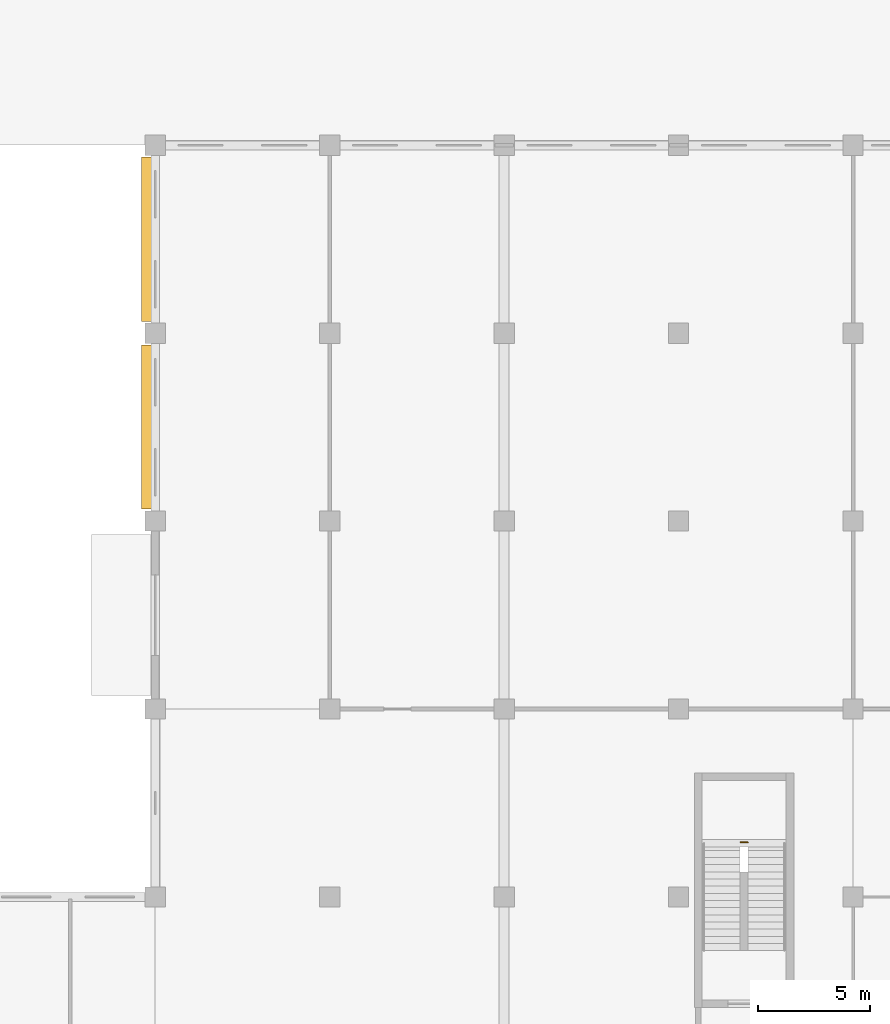
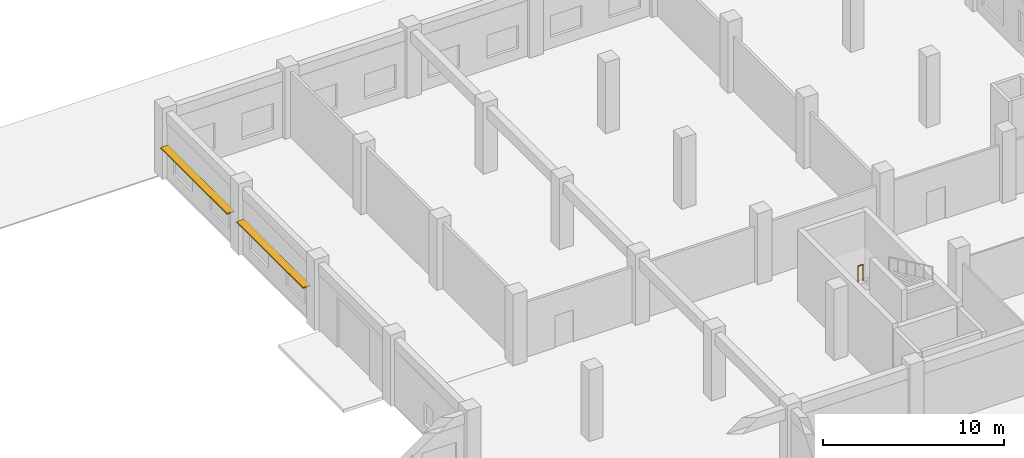
# One storey, part 68 of 74: 2 shading devices, 1 railing.
"""IFC4 building model written with IfcOpenShell, lengths in metres."""

from ifc_helpers import new_model, si_unit, direction, frame, origin, origin_2d, place, context, subcontext, project, spatial, rectangle, circle, extrude, material, layer, layer_set, type_object, element, save


model = new_model("IFC4")

# Units and contexts
model_context = context("Model", 3, precision=1e-05, world=origin(), true_north=direction((0.0, 1.0)))
body_context = subcontext(model_context, "Body", "Model", "MODEL_VIEW")
ifc_project = project(units=[si_unit("LENGTHUNIT", "METRE"), si_unit("AREAUNIT", "SQUARE_METRE"), si_unit("VOLUMEUNIT", "CUBIC_METRE"), si_unit("PLANEANGLEUNIT", "RADIAN"), si_unit("MASSUNIT", "GRAM", prefix="KILO"), si_unit("THERMODYNAMICTEMPERATUREUNIT", "KELVIN"), si_unit("POWERUNIT", "WATT")], contexts=[model_context])

# Site, building, storey
site_placement = place(None, origin())
site = spatial("IfcSite", under=ifc_project, at=site_placement, CompositionType="ELEMENT")
building_placement = place(site_placement, origin())
building = spatial("IfcBuilding", under=site, at=building_placement, Name="Srebrne Nadtorze General Hospital", CompositionType="ELEMENT")
storey_placement = place(building_placement, origin())
storey = spatial("IfcBuildingStorey", under=building, at=storey_placement, Name="L00", CompositionType="ELEMENT", Elevation=0.0)

# Shading devices
ifc_material_1 = material(Name="Anodised Aluminium", Category="aluminium")
ifc_layer = layer(ifc_material_1, 0.080078125)
ifc_layer_set = layer_set([ifc_layer], Name="Anodised Aluminium")
shading_device_type = type_object("IfcShadingDeviceType", Name="Hisashi horizontal aluminium sunshade", PredefinedType="JALOUSIE", material=ifc_layer_set)
for number, where, z_axis, x_axis, name in (
    (1, (23.02001953125, 105.0, 2.320068359375), (0.0, 0.0, 1.0), (1.0, 0.0, 0.0), "Hisashi horizontal sunshade eave LV-030"),
    (2, (23.02001953125, 113.39990234375, 2.219970703125), (0.0, 0.0, 1.0), (1.0, 0.0, 0.0), "Hisashi horizontal sunshade eave LV-031"),
):
    element("IfcShadingDevice", number, at=place(storey_placement, frame(where, z_axis=z_axis, x_axis=x_axis)), inside=storey, type_object=shading_device_type, Name=name, PredefinedType="JALOUSIE", context=body_context, shape_type="SweptSolid", body=[
        extrude(rectangle(XDim=0.47998046875, YDim=7.340087890625, at=origin_2d()), origin(), (0.0, 0.0, 1.0), 0.080078125),
    ])

# Railing
ifc_material_2 = material(Name="Stainless Steel 316", Category="steel")
railing_type = type_object("IfcRailingType", Name="Stairwell safety guard 1120", PredefinedType="BALUSTRADE", material=ifc_material_2)
railing_placement = place(storey_placement, frame((49.56494140625, 86.43994140625, 2.39990234375)))
element("IfcRailing", 3, at=railing_placement, inside=storey, type_object=railing_type, Name="Half landing well guard ST-02-L00", PredefinedType="BALUSTRADE", context=body_context, shape_type="SweptSolid", body=[
    extrude(circle(Radius=0.02392578125, at=origin_2d()), frame((0.0, 0.0, 1.09619140625), z_axis=(1.0, 0.0, 0.0), x_axis=(0.0, 1.0, 0.0)), (0.0, 0.0, 1.0), 0.320068359375),
    extrude(circle(Radius=0.02099609375, at=origin_2d()), origin(), (0.0, 0.0, 1.0), 1.072021484375),
    extrude(circle(Radius=0.02099609375, at=origin_2d()), frame((0.320068359375, 0.0, 0.0)), (0.0, 0.0, 1.0), 1.072021484375),
])

save(model, "model.ifc")
